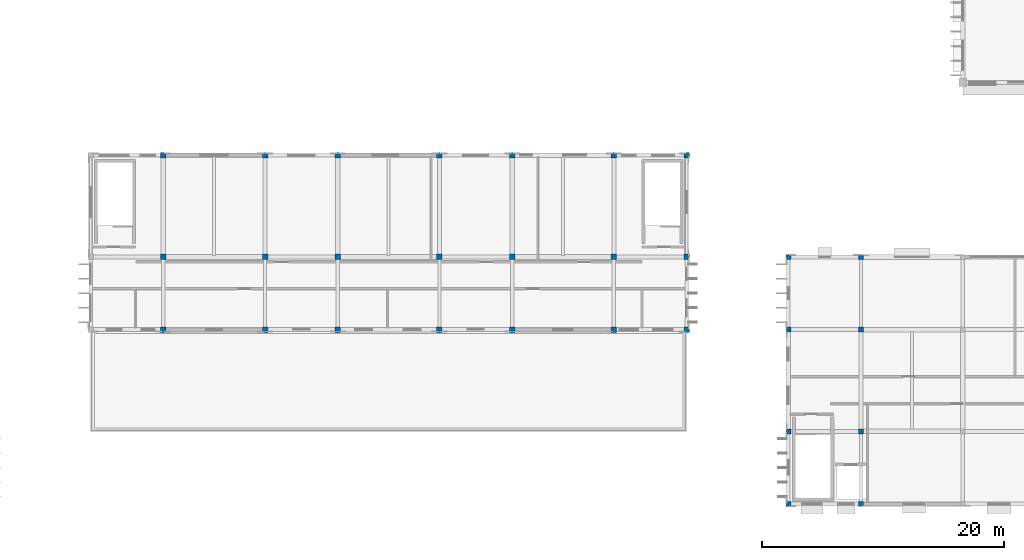
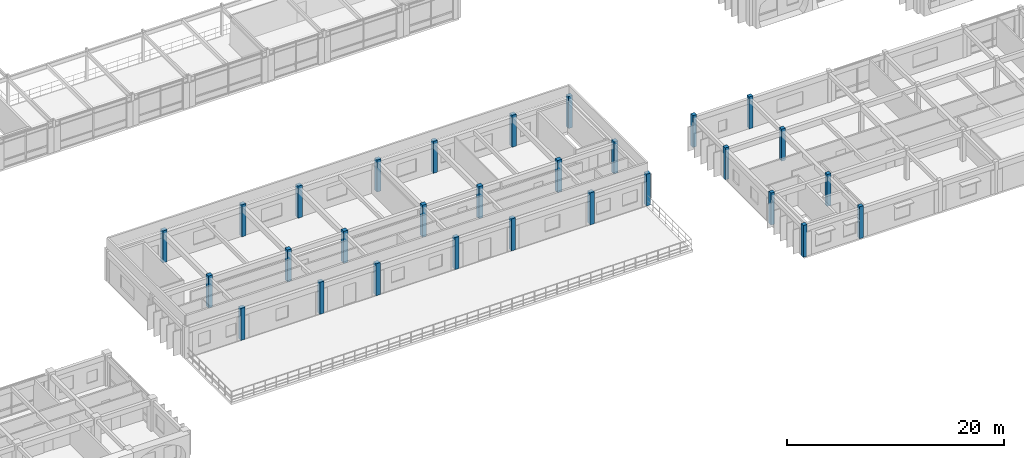
# One storey, part 3 of 88: 29 columns.
"""IFC4 building model written with IfcOpenShell, lengths in metres."""

from ifc_helpers import new_model, si_unit, direction, frame, origin, origin_2d, place, context, subcontext, project, spatial, rectangle, extrude, material, material_profile, profile_set, type_object, element, save


model = new_model("IFC4")

# Units and contexts
model_context = context("Model", 3, precision=1e-05, world=origin(), true_north=direction((0.0, 1.0)))
body_context = subcontext(model_context, "Body", "Model", "MODEL_VIEW")
ifc_project = project(units=[si_unit("LENGTHUNIT", "METRE"), si_unit("AREAUNIT", "SQUARE_METRE"), si_unit("VOLUMEUNIT", "CUBIC_METRE"), si_unit("PLANEANGLEUNIT", "RADIAN"), si_unit("MASSUNIT", "GRAM", prefix="KILO"), si_unit("THERMODYNAMICTEMPERATUREUNIT", "KELVIN")], contexts=[model_context])

# Site, building, storey
site_placement = place(None, origin())
site = spatial("IfcSite", under=ifc_project, at=site_placement, CompositionType="ELEMENT")
building_placement = place(site_placement, origin())
building = spatial("IfcBuilding", under=site, at=building_placement, Name="Thalorik Housing Commons", CompositionType="ELEMENT")
storey_placement = place(building_placement, frame((0.0, 0.0, 4.5)))
storey = spatial("IfcBuildingStorey", under=building, at=storey_placement, Name="L01", CompositionType="ELEMENT", Elevation=4.5)

# Columns
ifc_material = material(Name="Precast concrete C40/50", Category="concrete")
ifc_material_profile_1 = material_profile(ifc_material, rectangle(XDim=0.39990234375, YDim=0.39990234375, at=origin_2d()), Name="PC 400x400", Category="concrete")
ifc_profile_set_1 = profile_set([ifc_material_profile_1], Name="Precast concrete C40/50")
column_type_1 = type_object("IfcColumnType", Name="STR-COL-PC400", PredefinedType="COLUMN", material=ifc_profile_set_1)
for number, where, z_axis, x_axis, name in (
    (1, (123.60009765625, 8.39990234375, 0.0), (0.0, 0.0, 1.0), (1.0, 0.0, 0.0), "L01 Column C-400"),
    (2, (123.60009765625, 14.39990234375, 0.0), (0.0, 0.0, 1.0), (1.0, 0.0, 0.0), "L01 Column C-400"),
    (3, (123.60009765625, 22.800048828125, 0.0), (0.0, 0.0, 1.0), (1.0, 0.0, 0.0), "L01 Column C-400"),
    (4, (123.60009765625, 28.800048828125, 0.0), (0.0, 0.0, 1.0), (1.0, 0.0, 0.0), "L01 Column C-400"),
    (5, (129.60009765625, 8.39990234375, 0.0), (0.0, 0.0, 1.0), (1.0, 0.0, 0.0), "L01 Column C-400"),
    (6, (129.60009765625, 14.39990234375, 0.0), (0.0, 0.0, 1.0), (1.0, 0.0, 0.0), "L01 Column C-400"),
    (7, (129.60009765625, 22.800048828125, 0.0), (0.0, 0.0, 1.0), (1.0, 0.0, 0.0), "L01 Column C-400"),
    (8, (129.60009765625, 28.800048828125, 0.0), (0.0, 0.0, 1.0), (1.0, 0.0, 0.0), "L01 Column C-400"),
):
    element("IfcColumn", number, at=place(storey_placement, frame(where, z_axis=z_axis, x_axis=x_axis)), inside=storey, type_object=column_type_1, Name=name, PredefinedType="COLUMN", context=body_context, shape_type="SweptSolid", body=[
        extrude(rectangle(XDim=0.39990234375, YDim=0.39990234375, at=origin_2d()), origin(), (0.0, 0.0, 1.0), 3.60009765625),
    ])
ifc_material_profile_2 = material_profile(ifc_material, rectangle(XDim=0.449951171875, YDim=0.449951171875, at=origin_2d()), Name="PC 450x450", Category="concrete")
ifc_profile_set_2 = profile_set([ifc_material_profile_2], Name="Precast concrete C40/50")
column_type_2 = type_object("IfcColumnType", Name="STR-COL-PC450", PredefinedType="COLUMN", material=ifc_profile_set_2)
for number, where, z_axis, x_axis, name in (
    (9, (72.0, 22.800048828125, 0.0), (0.0, 0.0, 1.0), (1.0, 0.0, 0.0), "L01 Column C-450"),
    (10, (72.0, 28.800048828125, 0.0), (0.0, 0.0, 1.0), (1.0, 0.0, 0.0), "L01 Column C-450"),
    (11, (72.0, 37.199951171875, 0.0), (0.0, 0.0, 1.0), (1.0, 0.0, 0.0), "L01 Column C-450"),
    (12, (80.39990234375, 22.800048828125, 0.0), (0.0, 0.0, 1.0), (1.0, 0.0, 0.0), "L01 Column C-450"),
    (13, (80.39990234375, 28.800048828125, 0.0), (0.0, 0.0, 1.0), (1.0, 0.0, 0.0), "L01 Column C-450"),
    (14, (80.39990234375, 37.199951171875, 0.0), (0.0, 0.0, 1.0), (1.0, 0.0, 0.0), "L01 Column C-450"),
    (15, (86.39990234375, 22.800048828125, 0.0), (0.0, 0.0, 1.0), (1.0, 0.0, 0.0), "L01 Column C-450"),
    (16, (86.39990234375, 28.800048828125, 0.0), (0.0, 0.0, 1.0), (1.0, 0.0, 0.0), "L01 Column C-450"),
    (17, (86.39990234375, 37.199951171875, 0.0), (0.0, 0.0, 1.0), (1.0, 0.0, 0.0), "L01 Column C-450"),
    (18, (94.800048828125, 22.800048828125, 0.0), (0.0, 0.0, 1.0), (1.0, 0.0, 0.0), "L01 Column C-450"),
    (19, (94.800048828125, 28.800048828125, 0.0), (0.0, 0.0, 1.0), (1.0, 0.0, 0.0), "L01 Column C-450"),
    (20, (94.800048828125, 37.199951171875, 0.0), (0.0, 0.0, 1.0), (1.0, 0.0, 0.0), "L01 Column C-450"),
    (21, (100.800048828125, 22.800048828125, 0.0), (0.0, 0.0, 1.0), (1.0, 0.0, 0.0), "L01 Column C-450"),
    (22, (100.800048828125, 28.800048828125, 0.0), (0.0, 0.0, 1.0), (1.0, 0.0, 0.0), "L01 Column C-450"),
    (23, (100.800048828125, 37.199951171875, 0.0), (0.0, 0.0, 1.0), (1.0, 0.0, 0.0), "L01 Column C-450"),
    (24, (109.199951171875, 22.800048828125, 0.0), (0.0, 0.0, 1.0), (1.0, 0.0, 0.0), "L01 Column C-450"),
    (25, (109.199951171875, 28.800048828125, 0.0), (0.0, 0.0, 1.0), (1.0, 0.0, 0.0), "L01 Column C-450"),
    (26, (109.199951171875, 37.199951171875, 0.0), (0.0, 0.0, 1.0), (1.0, 0.0, 0.0), "L01 Column C-450"),
    (27, (115.199951171875, 22.800048828125, 0.0), (0.0, 0.0, 1.0), (1.0, 0.0, 0.0), "L01 Column C-450"),
    (28, (115.199951171875, 28.800048828125, 0.0), (0.0, 0.0, 1.0), (1.0, 0.0, 0.0), "L01 Column C-450"),
    (29, (115.199951171875, 37.199951171875, 0.0), (0.0, 0.0, 1.0), (1.0, 0.0, 0.0), "L01 Column C-450"),
):
    element("IfcColumn", number, at=place(storey_placement, frame(where, z_axis=z_axis, x_axis=x_axis)), inside=storey, type_object=column_type_2, Name=name, PredefinedType="COLUMN", context=body_context, shape_type="SweptSolid", body=[
        extrude(rectangle(XDim=0.449951171875, YDim=0.449951171875, at=origin_2d()), origin(), (0.0, 0.0, 1.0), 3.60009765625),
    ])

save(model, "model.ifc")
